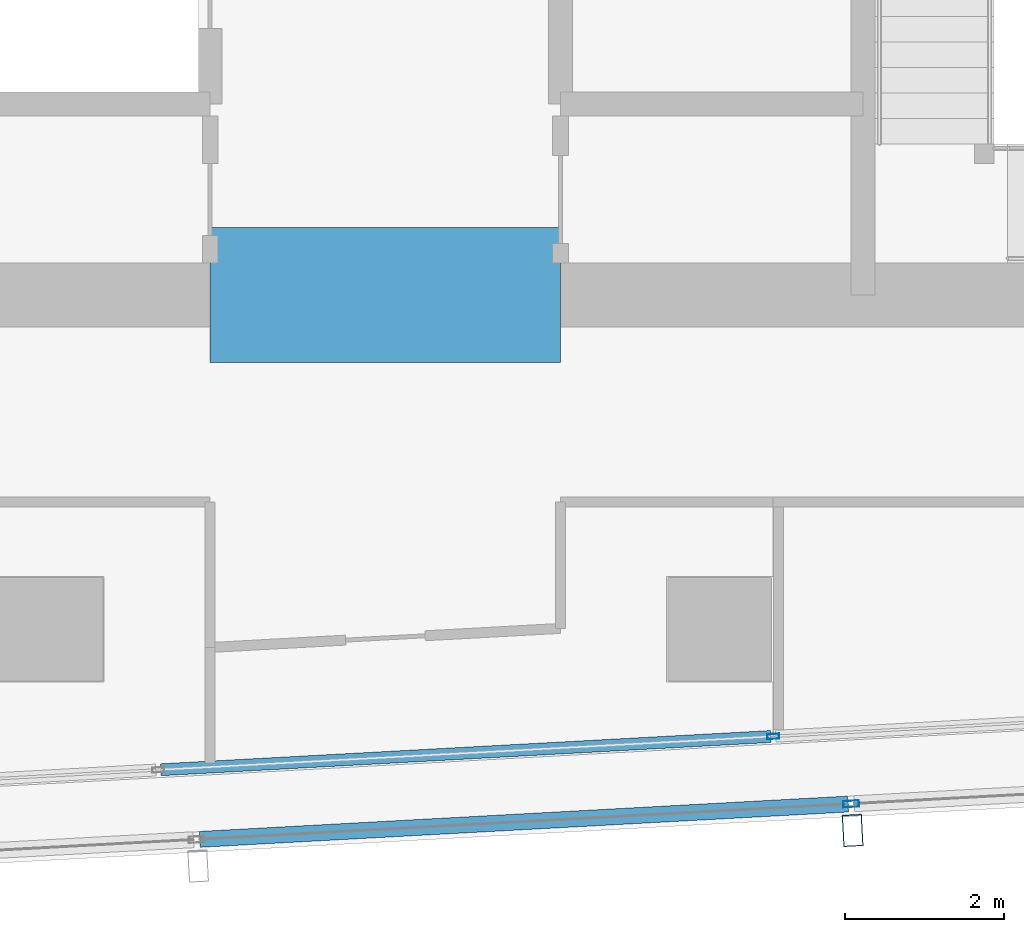
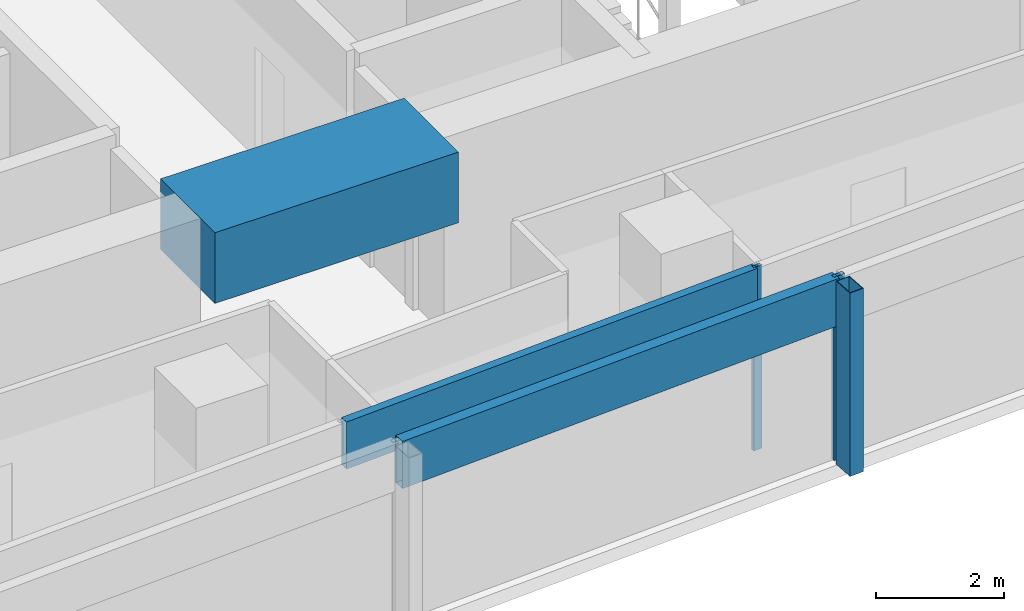
# One storey, part 9 of 29: 5 members, 1 beam, 2 elements without a shape of their own.
"""IFC4 building model written with IfcOpenShell, lengths in metres."""

from ifc_helpers import new_model, si_unit, direction, frame, origin, origin_2d, place, context, subcontext, project, spatial, rectangle, hollow_rectangle, extrude, material, material_profile, profile_set, type_object, element, aggregate, save


model = new_model("IFC4")

# Units and contexts
model_context = context("Model", 3, precision=1e-05, world=origin(), true_north=direction((0.0, 1.0)))
body_context = subcontext(model_context, "Body", "Model", "MODEL_VIEW")
ifc_project = project(units=[si_unit("LENGTHUNIT", "METRE"), si_unit("AREAUNIT", "SQUARE_METRE"), si_unit("VOLUMEUNIT", "CUBIC_METRE"), si_unit("PLANEANGLEUNIT", "RADIAN"), si_unit("MASSUNIT", "GRAM", prefix="KILO")], contexts=[model_context])

# Site, building, storey
site_placement = place(None, origin())
site = spatial("IfcSite", under=ifc_project, at=site_placement, CompositionType="ELEMENT")
building_placement = place(site_placement, origin())
building = spatial("IfcBuilding", under=site, at=building_placement, Name="Rekha Terrace Tower", CompositionType="ELEMENT")
storey_placement = place(building_placement, frame((0.0, 0.0, 280.10009765625)))
storey = spatial("IfcBuildingStorey", under=building, at=storey_placement, Name="L71", CompositionType="ELEMENT", Elevation=280.10009765625)

# Curtain wall, member
ifc_material_1 = material(Name="Aluminium framing", Category="aluminium")
curtain_wall_type_1 = type_object("IfcCurtainWallType", Name="CW2 double skin outer glazing", PredefinedType="USERDEFINED", material=ifc_material_1)
curtain_wall_1_placement = place(storey_placement, origin())
curtain_wall_1 = element("IfcCurtainWall", 1, at=curtain_wall_1_placement, inside=storey, type_object=curtain_wall_type_1, Name="CW2 double skin outer glazing", ObjectType="DOUBLE SKIN OUTER GLAZING", PredefinedType="USERDEFINED")
ifc_material_2 = material(Name="Steel S355 with fluorocarbon finish", Category="steel")
ifc_material_profile_1 = material_profile(ifc_material_2, hollow_rectangle(XDim=0.25, YDim=0.39990234375, WallThickness=0.012451171875, at=origin_2d()), Name="RHS400x250x12.5")
ifc_profile_set_1 = profile_set([ifc_material_profile_1], Name="Steel S355 with fluorocarbon finish")
member_type_1 = type_object("IfcMemberType", Name="BL1 facade blade RHS 400 x 250", PredefinedType="USERDEFINED", material=ifc_profile_set_1)
member_1_placement = place(storey_placement, frame((43.67138671875, 14.271728515625, 0.0), z_axis=(0.0, 0.0, 1.0), x_axis=(0.99851982155, 0.054389024366, 0.0)))
member_1 = element("IfcMember", 2, at=member_1_placement, type_object=member_type_1, Name="Facade blade", ObjectType="FACADE BLADE", PredefinedType="USERDEFINED", context=body_context, shape_type="SweptSolid", body=[
    extrude(hollow_rectangle(XDim=0.25, YDim=0.39990234375, WallThickness=0.012451171875, at=origin_2d()), origin(), (0.0, 0.0, 1.0), 3.5),
])

# Curtain wall, members
curtain_wall_type_2 = type_object("IfcCurtainWallType", Name="CW1 double skin inner glazing", PredefinedType="USERDEFINED", material=ifc_material_1)
curtain_wall_2_placement = place(storey_placement, origin())
curtain_wall_2 = element("IfcCurtainWall", 3, at=curtain_wall_2_placement, inside=storey, type_object=curtain_wall_type_2, Name="CW1 double skin inner glazing", ObjectType="DOUBLE SKIN INNER GLAZING", PredefinedType="USERDEFINED")
ifc_material_3 = material(Name="Aluminium mullion section", Category="aluminium")
ifc_material_profile_2 = material_profile(ifc_material_3, hollow_rectangle(XDim=0.06494140625, YDim=0.14990234375, WallThickness=0.00390625, at=origin_2d()), Name="AL RHS 65x150")
ifc_profile_set_2 = profile_set([ifc_material_profile_2], Name="Aluminium mullion section")
member_type_2 = type_object("IfcMemberType", Name="CW1 mullion RHS 65 x 150", PredefinedType="MULLION", material=ifc_profile_set_2)
member_2_placement = place(storey_placement, frame((42.673583984375, 15.4541015625, 0.0), z_axis=(0.0, 0.0, 1.0), x_axis=(-0.054388903036, 0.998519828159, 0.0)))
member_2 = element("IfcMember", 4, at=member_2_placement, type_object=member_type_2, Name="CW1 mullion 3", PredefinedType="MULLION", context=body_context, shape_type="SweptSolid", body=[
    extrude(hollow_rectangle(XDim=0.06494140625, YDim=0.14990234375, WallThickness=0.00390625, at=origin_2d()), origin(), (0.0, 0.0, 1.0), 3.5),
])
ifc_material_4 = material(Name="Insulated aluminium spandrel box", Category="aluminium")
ifc_material_profile_3 = material_profile(ifc_material_4, hollow_rectangle(XDim=0.14990234375, YDim=0.89990234375, WallThickness=0.0029296875, at=origin_2d()), Name="AL SPANDREL BOX 150x900")
ifc_profile_set_3 = profile_set([ifc_material_profile_3], Name="Insulated aluminium spandrel box")
member_type_3 = type_object("IfcMemberType", Name="CW1 spandrel transom 150 x 900", PredefinedType="USERDEFINED", material=ifc_profile_set_3)
member_3_placement = place(storey_placement, frame((34.980224609375, 15.03515625, 3.0498046875), z_axis=(0.998520172557, 0.054382579907, 0.0), x_axis=(-0.054382579907, 0.998520172557, 0.0)))
member_3 = element("IfcMember", 5, at=member_3_placement, type_object=member_type_3, Name="CW1 spandrel transom 2", ObjectType="TRANSOM", PredefinedType="USERDEFINED", context=body_context, shape_type="SweptSolid", body=[
    extrude(hollow_rectangle(XDim=0.14990234375, YDim=0.89990234375, WallThickness=0.0029296875, at=origin_2d()), origin(), (0.0, 0.0, 1.0), 7.67236328125),
])
aggregate(curtain_wall_2, [member_2, member_3])

# Member
ifc_material_profile_4 = material_profile(ifc_material_3, hollow_rectangle(XDim=0.080078125, YDim=0.199951171875, WallThickness=0.00390625, at=origin_2d()), Name="AL RHS 80x200")
ifc_profile_set_4 = profile_set([ifc_material_profile_4], Name="Aluminium mullion section")
member_type_4 = type_object("IfcMemberType", Name="CW2 mullion RHS 80 x 200", PredefinedType="MULLION", material=ifc_profile_set_4)
member_4_placement = place(storey_placement, frame((43.6533203125, 14.606201171875, 0.0), z_axis=(0.0, 0.0, 1.0), x_axis=(-0.054388903071, 0.998519828157, 0.0)))
member_4 = element("IfcMember", 6, at=member_4_placement, type_object=member_type_4, Name="CW2 mullion 3", PredefinedType="MULLION", context=body_context, shape_type="SweptSolid", body=[
    extrude(hollow_rectangle(XDim=0.080078125, YDim=0.199951171875, WallThickness=0.00390625, at=origin_2d()), origin(), (0.0, 0.0, 1.0), 3.5),
])

ifc_material_profile_5 = material_profile(ifc_material_4, hollow_rectangle(XDim=0.199951171875, YDim=0.89990234375, WallThickness=0.0029296875, at=origin_2d()), Name="AL SPANDREL BOX 200x900")
ifc_profile_set_5 = profile_set([ifc_material_profile_5], Name="Insulated aluminium spandrel box")
member_type_5 = type_object("IfcMemberType", Name="CW2 spandrel transom 200 x 900", PredefinedType="USERDEFINED", material=ifc_profile_set_5)
member_5_placement = place(storey_placement, frame((35.469970703125, 14.160400390625, 3.0498046875), z_axis=(0.998519553524, 0.054393944798, 0.0), x_axis=(-0.054393944798, 0.998519553524, 0.0)))
member_5 = element("IfcMember", 7, at=member_5_placement, type_object=member_type_5, Name="CW2 spandrel transom 2", ObjectType="TRANSOM", PredefinedType="USERDEFINED", context=body_context, shape_type="SweptSolid", body=[
    extrude(hollow_rectangle(XDim=0.199951171875, YDim=0.89990234375, WallThickness=0.0029296875, at=origin_2d()), origin(), (0.0, 0.0, 1.0), 8.1552734375),
])

aggregate(curtain_wall_1, [member_4, member_5, member_1])

# Beam
ifc_material_5 = material(Name="Concrete M60", Category="concrete")
ifc_material_profile_6 = material_profile(ifc_material_5, rectangle(XDim=1.699951171875, YDim=1.35009765625, at=origin_2d()), Name="RC 1700x1350")
ifc_profile_set_6 = profile_set([ifc_material_profile_6], Name="Concrete M60")
beam_type = type_object("IfcBeamType", Name="LB5A 1700x1350 diagonally reinforced coupling beam", PredefinedType="LINTEL", material=ifc_profile_set_6)
beam_placement = place(storey_placement, frame((35.60009765625, 21.0, 3.074951171875), z_axis=(1.0, 0.0, 0.0), x_axis=(0.0, 1.0, 0.0)))
element("IfcBeam", 8, at=beam_placement, inside=storey, type_object=beam_type, Name="Coupling beam LB5A S L71", PredefinedType="LINTEL", context=body_context, shape_type="SweptSolid", body=[
    extrude(rectangle(XDim=1.699951171875, YDim=1.35009765625, at=origin_2d()), origin(), (0.0, 0.0, 1.0), 4.39990234375),
])

save(model, "model.ifc")
